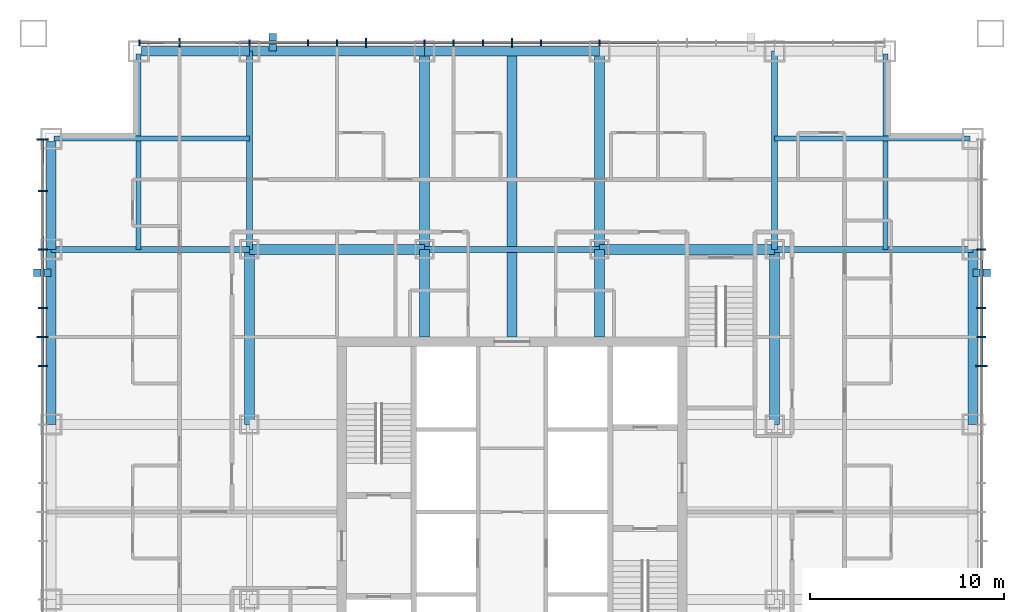
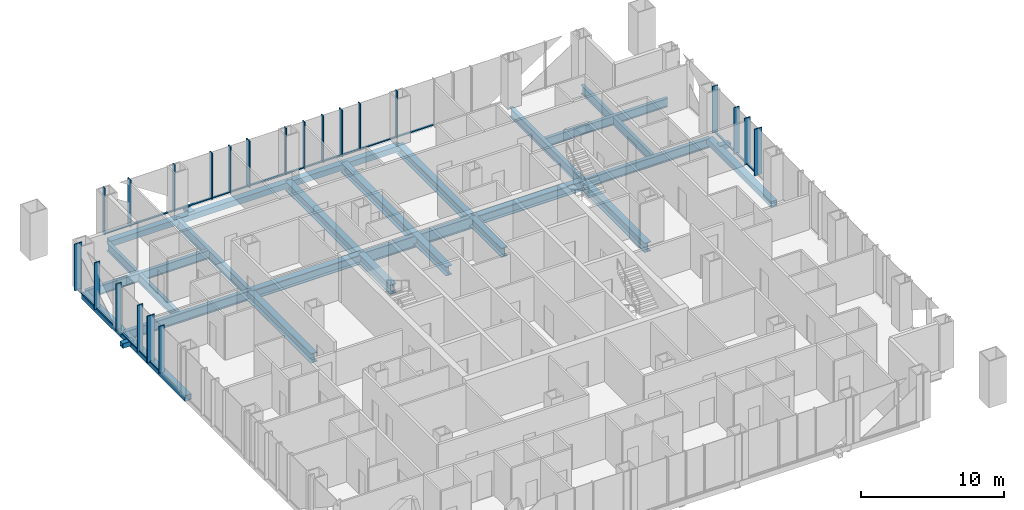
# One storey, part 5 of 14: 45 members, 24 beams, 3 elements without a shape of their own.
"""IFC4 building model written with IfcOpenShell, lengths in metres."""

from ifc_helpers import new_model, si_unit, direction, frame, origin, origin_2d, place, context, subcontext, project, spatial, rectangle, hollow_rectangle, i_section, extrude, material, layer, layer_set, material_profile, profile_set, type_object, element, aggregate, save


model = new_model("IFC4")

# Units and contexts
model_context = context("Model", 3, precision=1e-05, world=origin(), true_north=direction((0.0, 1.0)))
body_context = subcontext(model_context, "Body", "Model", "MODEL_VIEW")
ifc_project = project(units=[si_unit("LENGTHUNIT", "METRE"), si_unit("AREAUNIT", "SQUARE_METRE"), si_unit("VOLUMEUNIT", "CUBIC_METRE"), si_unit("PLANEANGLEUNIT", "RADIAN"), si_unit("MASSUNIT", "GRAM", prefix="KILO")], contexts=[model_context])

# Site, building, storey
site_placement = place(None, origin())
site = spatial("IfcSite", under=ifc_project, at=site_placement, CompositionType="ELEMENT")
building_placement = place(site_placement, origin())
building = spatial("IfcBuilding", under=site, at=building_placement, Name="Malebo Sky Hospital", CompositionType="ELEMENT")
storey_placement = place(building_placement, frame((0.0, 0.0, 164.0)))
storey = spatial("IfcBuildingStorey", under=building, at=storey_placement, Name="L39", CompositionType="ELEMENT", Elevation=164.0)

# Curtain wall, members
ifc_material_1 = material(Name="Anodised aluminium, natural silver", Category="aluminium")
ifc_layer_1 = layer(ifc_material_1, 0.25)
ifc_layer_set_1 = layer_set([ifc_layer_1], Name="WARD CURTAIN WALL NORTH AND SOUTH")
curtain_wall_type_1 = type_object("IfcCurtainWallType", Name="WARD CURTAIN WALL NORTH AND SOUTH", PredefinedType="NOTDEFINED", material=ifc_layer_set_1)
curtain_wall_1_placement = place(storey_placement, origin())
curtain_wall_1 = element("IfcCurtainWall", 1, at=curtain_wall_1_placement, inside=storey, type_object=curtain_wall_type_1, Name="NS curtain wall N", PredefinedType="NOTDEFINED")
ifc_material_profile_1 = material_profile(ifc_material_1, rectangle(XDim=0.14990234375, YDim=0.10009765625, at=origin_2d()), Name="ALUMINIUM TRANSOM 150x100")
ifc_profile_set_1 = profile_set([ifc_material_profile_1], Name="Anodised aluminium, natural silver")
member_type_1 = type_object("IfcMemberType", Name="ALUMINIUM TRANSOM 150x100", PredefinedType="USERDEFINED", material=ifc_profile_set_1)
member_1_placement = place(storey_placement, frame((40.875, 86.135009765625, 0.050048828125), z_axis=(1.0, 0.0, 0.0), x_axis=(0.0, 1.0, 0.0)))
member_1 = element("IfcMember", 2, at=member_1_placement, type_object=member_type_1, Name="Transom 1", ObjectType="TRANSOM", PredefinedType="USERDEFINED", context=body_context, shape_type="SweptSolid", body=[
    extrude(rectangle(XDim=0.14990234375, YDim=0.10009765625, at=origin_2d()), origin(), (0.0, 0.0, 1.0), 1.987548828125),
])
member_2_placement = place(storey_placement, frame((42.9375, 86.135009765625, 0.050048828125), z_axis=(1.0, 0.0, 0.0), x_axis=(0.0, 1.0, 0.0)))
member_2 = element("IfcMember", 3, at=member_2_placement, type_object=member_type_1, Name="Transom 2", ObjectType="TRANSOM", PredefinedType="USERDEFINED", context=body_context, shape_type="SweptSolid", body=[
    extrude(rectangle(XDim=0.14990234375, YDim=0.10009765625, at=origin_2d()), origin(), (0.0, 0.0, 1.0), 3.52490234375),
])
member_3_placement = place(storey_placement, frame((46.53759765625, 86.135009765625, 0.050048828125), z_axis=(1.0, 0.0, 0.0), x_axis=(0.0, 1.0, 0.0)))
member_3 = element("IfcMember", 4, at=member_3_placement, type_object=member_type_1, Name="Transom 3", ObjectType="TRANSOM", PredefinedType="USERDEFINED", context=body_context, shape_type="SweptSolid", body=[
    extrude(rectangle(XDim=0.14990234375, YDim=0.10009765625, at=origin_2d()), origin(), (0.0, 0.0, 1.0), 2.9248046875),
])
member_4_placement = place(storey_placement, frame((49.53759765625, 86.135009765625, 0.050048828125), z_axis=(1.0, 0.0, 0.0), x_axis=(0.0, 1.0, 0.0)))
member_4 = element("IfcMember", 5, at=member_4_placement, type_object=member_type_1, Name="Transom 4", ObjectType="TRANSOM", PredefinedType="USERDEFINED", context=body_context, shape_type="SweptSolid", body=[
    extrude(rectangle(XDim=0.14990234375, YDim=0.10009765625, at=origin_2d()), origin(), (0.0, 0.0, 1.0), 1.4248046875),
])
member_5_placement = place(storey_placement, frame((51.03759765625, 86.135009765625, 0.050048828125), z_axis=(1.0, 0.0, 0.0), x_axis=(0.0, 1.0, 0.0)))
member_5 = element("IfcMember", 6, at=member_5_placement, type_object=member_type_1, Name="Transom 5", ObjectType="TRANSOM", PredefinedType="USERDEFINED", context=body_context, shape_type="SweptSolid", body=[
    extrude(rectangle(XDim=0.14990234375, YDim=0.10009765625, at=origin_2d()), origin(), (0.0, 0.0, 1.0), 1.4248046875),
])
member_6_placement = place(storey_placement, frame((52.53759765625, 86.135009765625, 0.050048828125), z_axis=(1.0, 0.0, 0.0), x_axis=(0.0, 1.0, 0.0)))
member_6 = element("IfcMember", 7, at=member_6_placement, type_object=member_type_1, Name="Transom 6", ObjectType="TRANSOM", PredefinedType="USERDEFINED", context=body_context, shape_type="SweptSolid", body=[
    extrude(rectangle(XDim=0.14990234375, YDim=0.10009765625, at=origin_2d()), origin(), (0.0, 0.0, 1.0), 2.9248046875),
])
member_7_placement = place(storey_placement, frame((55.53759765625, 86.135009765625, 0.050048828125), z_axis=(1.0, 0.0, 0.0), x_axis=(0.0, 1.0, 0.0)))
member_7 = element("IfcMember", 8, at=member_7_placement, type_object=member_type_1, Name="Transom 7", ObjectType="TRANSOM", PredefinedType="USERDEFINED", context=body_context, shape_type="SweptSolid", body=[
    extrude(rectangle(XDim=0.14990234375, YDim=0.10009765625, at=origin_2d()), origin(), (0.0, 0.0, 1.0), 1.4248046875),
])
member_8_placement = place(storey_placement, frame((57.03759765625, 86.135009765625, 0.050048828125), z_axis=(1.0, 0.0, 0.0), x_axis=(0.0, 1.0, 0.0)))
member_8 = element("IfcMember", 9, at=member_8_placement, type_object=member_type_1, Name="Transom 8", ObjectType="TRANSOM", PredefinedType="USERDEFINED", context=body_context, shape_type="SweptSolid", body=[
    extrude(rectangle(XDim=0.14990234375, YDim=0.10009765625, at=origin_2d()), origin(), (0.0, 0.0, 1.0), 1.4248046875),
])
member_9_placement = place(storey_placement, frame((58.53759765625, 86.135009765625, 0.050048828125), z_axis=(1.0, 0.0, 0.0), x_axis=(0.0, 1.0, 0.0)))
member_9 = element("IfcMember", 10, at=member_9_placement, type_object=member_type_1, Name="Transom 9", ObjectType="TRANSOM", PredefinedType="USERDEFINED", context=body_context, shape_type="SweptSolid", body=[
    extrude(rectangle(XDim=0.14990234375, YDim=0.10009765625, at=origin_2d()), origin(), (0.0, 0.0, 1.0), 1.4248046875),
])
member_10_placement = place(storey_placement, frame((60.03759765625, 86.135009765625, 0.050048828125), z_axis=(1.0, 0.0, 0.0), x_axis=(0.0, 1.0, 0.0)))
member_10 = element("IfcMember", 11, at=member_10_placement, type_object=member_type_1, Name="Transom 10", ObjectType="TRANSOM", PredefinedType="USERDEFINED", context=body_context, shape_type="SweptSolid", body=[
    extrude(rectangle(XDim=0.14990234375, YDim=0.10009765625, at=origin_2d()), origin(), (0.0, 0.0, 1.0), 1.4248046875),
])
member_11_placement = place(storey_placement, frame((61.53759765625, 86.135009765625, 0.050048828125), z_axis=(1.0, 0.0, 0.0), x_axis=(0.0, 1.0, 0.0)))
member_11 = element("IfcMember", 12, at=member_11_placement, type_object=member_type_1, Name="Transom 11", ObjectType="TRANSOM", PredefinedType="USERDEFINED", context=body_context, shape_type="SweptSolid", body=[
    extrude(rectangle(XDim=0.14990234375, YDim=0.10009765625, at=origin_2d()), origin(), (0.0, 0.0, 1.0), 2.9248046875),
])
member_12_placement = place(storey_placement, frame((64.53759765625, 86.135009765625, 0.050048828125), z_axis=(1.0, 0.0, 0.0), x_axis=(0.0, 1.0, 0.0)))
member_12 = element("IfcMember", 13, at=member_12_placement, type_object=member_type_1, Name="Transom 12", ObjectType="TRANSOM", PredefinedType="USERDEFINED", context=body_context, shape_type="SweptSolid", body=[
    extrude(rectangle(XDim=0.14990234375, YDim=0.10009765625, at=origin_2d()), origin(), (0.0, 0.0, 1.0), 2.9248046875),
])

ifc_layer_2 = layer(ifc_material_1, 0.25)
ifc_layer_set_2 = layer_set([ifc_layer_2], Name="WARD CURTAIN WALL EAST AND WEST")
curtain_wall_type_2 = type_object("IfcCurtainWallType", Name="WARD CURTAIN WALL EAST AND WEST", PredefinedType="NOTDEFINED", material=ifc_layer_set_2)
curtain_wall_2_placement = place(storey_placement, origin())
curtain_wall_2 = element("IfcCurtainWall", 14, at=curtain_wall_2_placement, inside=storey, type_object=curtain_wall_type_2, Name="EW curtain wall W", PredefinedType="NOTDEFINED")
member_13_placement = place(storey_placement, frame((35.864990234375, 69.53759765625, 0.050048828125), z_axis=(0.0, 1.0, 0.0), x_axis=(-1.0, 0.0, 0.0)))
member_13 = element("IfcMember", 15, at=member_13_placement, type_object=member_type_1, Name="Transom 13", ObjectType="TRANSOM", PredefinedType="USERDEFINED", context=body_context, shape_type="SweptSolid", body=[
    extrude(rectangle(XDim=0.14990234375, YDim=0.10009765625, at=origin_2d()), origin(), (0.0, 0.0, 1.0), 1.4248046875),
])
member_14_placement = place(storey_placement, frame((35.864990234375, 71.03759765625, 0.050048828125), z_axis=(0.0, 1.0, 0.0), x_axis=(-1.0, 0.0, 0.0)))
member_14 = element("IfcMember", 16, at=member_14_placement, type_object=member_type_1, Name="Transom 14", ObjectType="TRANSOM", PredefinedType="USERDEFINED", context=body_context, shape_type="SweptSolid", body=[
    extrude(rectangle(XDim=0.14990234375, YDim=0.10009765625, at=origin_2d()), origin(), (0.0, 0.0, 1.0), 1.4248046875),
])
member_15_placement = place(storey_placement, frame((35.864990234375, 72.53759765625, 0.050048828125), z_axis=(0.0, 1.0, 0.0), x_axis=(-1.0, 0.0, 0.0)))
member_15 = element("IfcMember", 17, at=member_15_placement, type_object=member_type_1, Name="Transom 15", ObjectType="TRANSOM", PredefinedType="USERDEFINED", context=body_context, shape_type="SweptSolid", body=[
    extrude(rectangle(XDim=0.14990234375, YDim=0.10009765625, at=origin_2d()), origin(), (0.0, 0.0, 1.0), 2.9248046875),
])
member_16_placement = place(storey_placement, frame((35.864990234375, 75.53759765625, 0.050048828125), z_axis=(0.0, 1.0, 0.0), x_axis=(-1.0, 0.0, 0.0)))
member_16 = element("IfcMember", 18, at=member_16_placement, type_object=member_type_1, Name="Transom 16", ObjectType="TRANSOM", PredefinedType="USERDEFINED", context=body_context, shape_type="SweptSolid", body=[
    extrude(rectangle(XDim=0.14990234375, YDim=0.10009765625, at=origin_2d()), origin(), (0.0, 0.0, 1.0), 2.9248046875),
])
member_17_placement = place(storey_placement, frame((35.864990234375, 78.53759765625, 0.050048828125), z_axis=(0.0, 1.0, 0.0), x_axis=(-1.0, 0.0, 0.0)))
member_17 = element("IfcMember", 19, at=member_17_placement, type_object=member_type_1, Name="Transom 17", ObjectType="TRANSOM", PredefinedType="USERDEFINED", context=body_context, shape_type="SweptSolid", body=[
    extrude(rectangle(XDim=0.14990234375, YDim=0.10009765625, at=origin_2d()), origin(), (0.0, 0.0, 1.0), 2.58740234375),
])

curtain_wall_3_placement = place(storey_placement, origin())
curtain_wall_3 = element("IfcCurtainWall", 20, at=curtain_wall_3_placement, inside=storey, type_object=curtain_wall_type_2, Name="EW curtain wall E", PredefinedType="NOTDEFINED")
member_18_placement = place(storey_placement, frame((84.135009765625, 75.46240234375, 0.050048828125), z_axis=(0.0, -1.0, 0.0), x_axis=(1.0, 0.0, 0.0)))
member_18 = element("IfcMember", 21, at=member_18_placement, type_object=member_type_1, Name="Transom 3", ObjectType="TRANSOM", PredefinedType="USERDEFINED", context=body_context, shape_type="SweptSolid", body=[
    extrude(rectangle(XDim=0.14990234375, YDim=0.10009765625, at=origin_2d()), origin(), (0.0, 0.0, 1.0), 2.9248046875),
])
member_19_placement = place(storey_placement, frame((84.135009765625, 72.46240234375, 0.050048828125), z_axis=(0.0, -1.0, 0.0), x_axis=(1.0, 0.0, 0.0)))
member_19 = element("IfcMember", 22, at=member_19_placement, type_object=member_type_1, Name="Transom 4", ObjectType="TRANSOM", PredefinedType="USERDEFINED", context=body_context, shape_type="SweptSolid", body=[
    extrude(rectangle(XDim=0.14990234375, YDim=0.10009765625, at=origin_2d()), origin(), (0.0, 0.0, 1.0), 1.4248046875),
])
member_20_placement = place(storey_placement, frame((84.135009765625, 70.96240234375, 0.050048828125), z_axis=(0.0, -1.0, 0.0), x_axis=(1.0, 0.0, 0.0)))
member_20 = element("IfcMember", 23, at=member_20_placement, type_object=member_type_1, Name="Transom 5", ObjectType="TRANSOM", PredefinedType="USERDEFINED", context=body_context, shape_type="SweptSolid", body=[
    extrude(rectangle(XDim=0.14990234375, YDim=0.10009765625, at=origin_2d()), origin(), (0.0, 0.0, 1.0), 1.4248046875),
])

# Members
ifc_material_2 = material(Name="Steel S355", Category="steel")
ifc_material_profile_2 = material_profile(ifc_material_2, hollow_rectangle(XDim=0.39990234375, YDim=0.39990234375, WallThickness=0.02001953125, at=origin_2d()), Name="SHS 400x20")
ifc_profile_set_2 = profile_set([ifc_material_profile_2], Name="Steel S355")
member_type_2 = type_object("IfcMemberType", Name="BRACE STRUT SHS 400x20", PredefinedType="STRUT", material=ifc_profile_set_2)
for number, where, z_axis, x_axis, name in (
    (24, (47.699951171875, 86.60009765625, -0.39990234375), (0.0, -1.0, 0.0), (1.0, 0.0, 0.0), "Brace strut BN1 L39"),
    (25, (84.60009765625, 74.300048828125, -0.39990234375), (-1.0, 0.0, 0.0), (0.0, -1.0, 0.0), "Brace strut BE1 L39"),
    (26, (35.39990234375, 74.300048828125, -0.39990234375), (1.0, 0.0, 0.0), (0.0, 1.0, 0.0), "Brace strut BW2 L39"),
):
    element("IfcMember", number, at=place(storey_placement, frame(where, z_axis=z_axis, x_axis=x_axis)), inside=storey, type_object=member_type_2, Name=name, PredefinedType="STRUT", context=body_context, shape_type="SweptSolid", body=[
        extrude(hollow_rectangle(XDim=0.39990234375, YDim=0.39990234375, WallThickness=0.02001953125, at=origin_2d()), origin(), (0.0, 0.0, 1.0), 0.900146484375),
    ])

# Member
ifc_material_profile_3 = material_profile(ifc_material_1, rectangle(XDim=0.074951171875, YDim=0.300048828125, at=origin_2d()), Name="CW1 ALUMINIUM FIN MULLION 75x300")
ifc_profile_set_3 = profile_set([ifc_material_profile_3], Name="Anodised aluminium, natural silver")
member_type_3 = type_object("IfcMemberType", Name="CW1 ALUMINIUM FIN MULLION 75x300", PredefinedType="MULLION", material=ifc_profile_set_3)
member_21_placement = place(storey_placement, frame((40.83740234375, 86.135009765625, 0.0), z_axis=(0.0, 0.0, 1.0), x_axis=(1.0, 0.0, 0.0)))
member_21 = element("IfcMember", 27, at=member_21_placement, type_object=member_type_3, Name="Fin mullion 1", PredefinedType="MULLION", context=body_context, shape_type="SweptSolid", body=[
    extrude(rectangle(XDim=0.074951171875, YDim=0.300048828125, at=origin_2d()), origin(), (0.0, 0.0, 1.0), 4.0),
])

member_22_placement = place(storey_placement, frame((46.5, 86.135009765625, 0.0), z_axis=(0.0, 0.0, 1.0), x_axis=(1.0, 0.0, 0.0)))
member_22 = element("IfcMember", 28, at=member_22_placement, type_object=member_type_3, Name="Fin mullion 3", PredefinedType="MULLION", context=body_context, shape_type="SweptSolid", body=[
    extrude(rectangle(XDim=0.074951171875, YDim=0.300048828125, at=origin_2d()), origin(), (0.0, 0.0, 1.0), 4.0),
])

member_23_placement = place(storey_placement, frame((49.5, 86.135009765625, 0.0), z_axis=(0.0, 0.0, 1.0), x_axis=(1.0, 0.0, 0.0)))
member_23 = element("IfcMember", 29, at=member_23_placement, type_object=member_type_3, Name="Fin mullion 4", PredefinedType="MULLION", context=body_context, shape_type="SweptSolid", body=[
    extrude(rectangle(XDim=0.074951171875, YDim=0.300048828125, at=origin_2d()), origin(), (0.0, 0.0, 1.0), 4.0),
])

member_24_placement = place(storey_placement, frame((51.0, 86.135009765625, 0.0), z_axis=(0.0, 0.0, 1.0), x_axis=(1.0, 0.0, 0.0)))
member_24 = element("IfcMember", 30, at=member_24_placement, type_object=member_type_3, Name="Fin mullion 5", PredefinedType="MULLION", context=body_context, shape_type="SweptSolid", body=[
    extrude(rectangle(XDim=0.074951171875, YDim=0.300048828125, at=origin_2d()), origin(), (0.0, 0.0, 1.0), 4.0),
])

member_25_placement = place(storey_placement, frame((55.5, 86.135009765625, 0.0), z_axis=(0.0, 0.0, 1.0), x_axis=(1.0, 0.0, 0.0)))
member_25 = element("IfcMember", 31, at=member_25_placement, type_object=member_type_3, Name="Fin mullion 7", PredefinedType="MULLION", context=body_context, shape_type="SweptSolid", body=[
    extrude(rectangle(XDim=0.074951171875, YDim=0.300048828125, at=origin_2d()), origin(), (0.0, 0.0, 1.0), 4.0),
])

member_26_placement = place(storey_placement, frame((57.0, 86.135009765625, 0.0), z_axis=(0.0, 0.0, 1.0), x_axis=(1.0, 0.0, 0.0)))
member_26 = element("IfcMember", 32, at=member_26_placement, type_object=member_type_3, Name="Fin mullion 8", PredefinedType="MULLION", context=body_context, shape_type="SweptSolid", body=[
    extrude(rectangle(XDim=0.074951171875, YDim=0.300048828125, at=origin_2d()), origin(), (0.0, 0.0, 1.0), 4.0),
])

member_27_placement = place(storey_placement, frame((58.5, 86.135009765625, 0.0), z_axis=(0.0, 0.0, 1.0), x_axis=(1.0, 0.0, 0.0)))
member_27 = element("IfcMember", 33, at=member_27_placement, type_object=member_type_3, Name="Fin mullion 9", PredefinedType="MULLION", context=body_context, shape_type="SweptSolid", body=[
    extrude(rectangle(XDim=0.074951171875, YDim=0.300048828125, at=origin_2d()), origin(), (0.0, 0.0, 1.0), 4.0),
])

member_28_placement = place(storey_placement, frame((61.5, 86.135009765625, 0.0), z_axis=(0.0, 0.0, 1.0), x_axis=(1.0, 0.0, 0.0)))
member_28 = element("IfcMember", 34, at=member_28_placement, type_object=member_type_3, Name="Fin mullion 11", PredefinedType="MULLION", context=body_context, shape_type="SweptSolid", body=[
    extrude(rectangle(XDim=0.074951171875, YDim=0.300048828125, at=origin_2d()), origin(), (0.0, 0.0, 1.0), 4.0),
])

member_29_placement = place(storey_placement, frame((64.5, 86.135009765625, 0.0), z_axis=(0.0, 0.0, 1.0), x_axis=(1.0, 0.0, 0.0)))
member_29 = element("IfcMember", 35, at=member_29_placement, type_object=member_type_3, Name="Fin mullion 12", PredefinedType="MULLION", context=body_context, shape_type="SweptSolid", body=[
    extrude(rectangle(XDim=0.074951171875, YDim=0.300048828125, at=origin_2d()), origin(), (0.0, 0.0, 1.0), 4.0),
])

ifc_material_profile_4 = material_profile(ifc_material_1, rectangle(XDim=0.074951171875, YDim=0.449951171875, at=origin_2d()), Name="CW1 ALUMINIUM FIN MULLION 75x450")
ifc_profile_set_4 = profile_set([ifc_material_profile_4], Name="Anodised aluminium, natural silver")
member_type_4 = type_object("IfcMemberType", Name="CW1 ALUMINIUM FIN MULLION 75x450", PredefinedType="MULLION", material=ifc_profile_set_4)
member_30_placement = place(storey_placement, frame((42.89990234375, 86.135009765625, 0.0), z_axis=(0.0, 0.0, 1.0), x_axis=(1.0, 0.0, 0.0)))
member_30 = element("IfcMember", 36, at=member_30_placement, type_object=member_type_4, Name="Fin mullion 2", PredefinedType="MULLION", context=body_context, shape_type="SweptSolid", body=[
    extrude(rectangle(XDim=0.074951171875, YDim=0.449951171875, at=origin_2d()), origin(), (0.0, 0.0, 1.0), 4.0),
])

member_31_placement = place(storey_placement, frame((52.5, 86.135009765625, 0.0), z_axis=(0.0, 0.0, 1.0), x_axis=(1.0, 0.0, 0.0)))
member_31 = element("IfcMember", 37, at=member_31_placement, type_object=member_type_4, Name="Fin mullion 6", PredefinedType="MULLION", context=body_context, shape_type="SweptSolid", body=[
    extrude(rectangle(XDim=0.074951171875, YDim=0.449951171875, at=origin_2d()), origin(), (0.0, 0.0, 1.0), 4.0),
])

member_32_placement = place(storey_placement, frame((60.0, 86.135009765625, 0.0), z_axis=(0.0, 0.0, 1.0), x_axis=(1.0, 0.0, 0.0)))
member_32 = element("IfcMember", 38, at=member_32_placement, type_object=member_type_4, Name="Fin mullion 10", PredefinedType="MULLION", context=body_context, shape_type="SweptSolid", body=[
    extrude(rectangle(XDim=0.074951171875, YDim=0.449951171875, at=origin_2d()), origin(), (0.0, 0.0, 1.0), 4.0),
])

aggregate(curtain_wall_1, [member_21, member_30, member_22, member_23, member_24, member_31, member_25, member_26, member_27, member_32, member_28, member_29, member_1, member_2, member_3, member_4, member_5, member_6, member_7, member_8, member_9, member_10, member_11, member_12])

ifc_material_profile_5 = material_profile(ifc_material_1, rectangle(XDim=0.074951171875, YDim=0.449951171875, at=origin_2d()), Name="CW2 ALUMINIUM FIN MULLION 75x450")
ifc_profile_set_5 = profile_set([ifc_material_profile_5], Name="Anodised aluminium, natural silver")
member_type_5 = type_object("IfcMemberType", Name="CW2 ALUMINIUM FIN MULLION 75x450", PredefinedType="MULLION", material=ifc_profile_set_5)
member_33_placement = place(storey_placement, frame((35.864990234375, 69.5, 0.0), z_axis=(0.0, 0.0, 1.0), x_axis=(0.0, 1.0, 0.0)))
member_33 = element("IfcMember", 39, at=member_33_placement, type_object=member_type_5, Name="Fin mullion 13", PredefinedType="MULLION", context=body_context, shape_type="SweptSolid", body=[
    extrude(rectangle(XDim=0.074951171875, YDim=0.449951171875, at=origin_2d()), origin(), (0.0, 0.0, 1.0), 4.0),
])

member_34_placement = place(storey_placement, frame((35.864990234375, 72.5, 0.0), z_axis=(0.0, 0.0, 1.0), x_axis=(0.0, 1.0, 0.0)))
member_34 = element("IfcMember", 40, at=member_34_placement, type_object=member_type_5, Name="Fin mullion 15", PredefinedType="MULLION", context=body_context, shape_type="SweptSolid", body=[
    extrude(rectangle(XDim=0.074951171875, YDim=0.449951171875, at=origin_2d()), origin(), (0.0, 0.0, 1.0), 4.0),
])

member_35_placement = place(storey_placement, frame((35.864990234375, 75.5, 0.0), z_axis=(0.0, 0.0, 1.0), x_axis=(0.0, 1.0, 0.0)))
member_35 = element("IfcMember", 41, at=member_35_placement, type_object=member_type_5, Name="Fin mullion 16", PredefinedType="MULLION", context=body_context, shape_type="SweptSolid", body=[
    extrude(rectangle(XDim=0.074951171875, YDim=0.449951171875, at=origin_2d()), origin(), (0.0, 0.0, 1.0), 4.0),
])

member_36_placement = place(storey_placement, frame((35.864990234375, 78.5, 0.0), z_axis=(0.0, 0.0, 1.0), x_axis=(0.0, 1.0, 0.0)))
member_36 = element("IfcMember", 42, at=member_36_placement, type_object=member_type_5, Name="Fin mullion 17", PredefinedType="MULLION", context=body_context, shape_type="SweptSolid", body=[
    extrude(rectangle(XDim=0.074951171875, YDim=0.449951171875, at=origin_2d()), origin(), (0.0, 0.0, 1.0), 4.0),
])

member_37_placement = place(storey_placement, frame((84.135009765625, 75.5, 0.0), z_axis=(0.0, 0.0, 1.0), x_axis=(0.0, -1.0, 0.0)))
member_37 = element("IfcMember", 43, at=member_37_placement, type_object=member_type_5, Name="Fin mullion 3", PredefinedType="MULLION", context=body_context, shape_type="SweptSolid", body=[
    extrude(rectangle(XDim=0.074951171875, YDim=0.449951171875, at=origin_2d()), origin(), (0.0, 0.0, 1.0), 4.0),
])

member_38_placement = place(storey_placement, frame((84.135009765625, 72.5, 0.0), z_axis=(0.0, 0.0, 1.0), x_axis=(0.0, -1.0, 0.0)))
member_38 = element("IfcMember", 44, at=member_38_placement, type_object=member_type_5, Name="Fin mullion 4", PredefinedType="MULLION", context=body_context, shape_type="SweptSolid", body=[
    extrude(rectangle(XDim=0.074951171875, YDim=0.449951171875, at=origin_2d()), origin(), (0.0, 0.0, 1.0), 4.0),
])

member_39_placement = place(storey_placement, frame((84.135009765625, 71.0, 0.0), z_axis=(0.0, 0.0, 1.0), x_axis=(0.0, -1.0, 0.0)))
member_39 = element("IfcMember", 45, at=member_39_placement, type_object=member_type_5, Name="Fin mullion 5", PredefinedType="MULLION", context=body_context, shape_type="SweptSolid", body=[
    extrude(rectangle(XDim=0.074951171875, YDim=0.449951171875, at=origin_2d()), origin(), (0.0, 0.0, 1.0), 4.0),
])

ifc_material_profile_6 = material_profile(ifc_material_1, rectangle(XDim=0.074951171875, YDim=0.60009765625, at=origin_2d()), Name="CW2 ALUMINIUM FIN MULLION 75x600")
ifc_profile_set_6 = profile_set([ifc_material_profile_6], Name="Anodised aluminium, natural silver")
member_type_6 = type_object("IfcMemberType", Name="CW2 ALUMINIUM FIN MULLION 75x600", PredefinedType="MULLION", material=ifc_profile_set_6)
member_40_placement = place(storey_placement, frame((35.864990234375, 71.0, 0.0), z_axis=(0.0, 0.0, 1.0), x_axis=(0.0, 1.0, 0.0)))
member_40 = element("IfcMember", 46, at=member_40_placement, type_object=member_type_6, Name="Fin mullion 14", PredefinedType="MULLION", context=body_context, shape_type="SweptSolid", body=[
    extrude(rectangle(XDim=0.074951171875, YDim=0.60009765625, at=origin_2d()), origin(), (0.0, 0.0, 1.0), 4.0),
])

member_41_placement = place(storey_placement, frame((35.864990234375, 81.16259765625, 0.0), z_axis=(0.0, 0.0, 1.0), x_axis=(0.0, 1.0, 0.0)))
member_41 = element("IfcMember", 47, at=member_41_placement, type_object=member_type_6, Name="Fin mullion 18", PredefinedType="MULLION", context=body_context, shape_type="SweptSolid", body=[
    extrude(rectangle(XDim=0.074951171875, YDim=0.60009765625, at=origin_2d()), origin(), (0.0, 0.0, 1.0), 4.0),
])

aggregate(curtain_wall_2, [member_33, member_40, member_34, member_35, member_36, member_41, member_13, member_14, member_15, member_16, member_17])

member_42_placement = place(storey_placement, frame((84.135009765625, 69.5, 0.0), z_axis=(0.0, 0.0, 1.0), x_axis=(0.0, -1.0, 0.0)))
member_42 = element("IfcMember", 48, at=member_42_placement, type_object=member_type_6, Name="Fin mullion 6", PredefinedType="MULLION", context=body_context, shape_type="SweptSolid", body=[
    extrude(rectangle(XDim=0.074951171875, YDim=0.60009765625, at=origin_2d()), origin(), (0.0, 0.0, 1.0), 4.0),
])

aggregate(curtain_wall_3, [member_37, member_38, member_39, member_42, member_18, member_19, member_20])

# Beams
ifc_material_3 = material(Name="Steel S460", Category="steel")
ifc_material_profile_7 = material_profile(ifc_material_3, hollow_rectangle(XDim=0.5, YDim=0.5, WallThickness=0.030029296875, at=origin_2d()), Name="BOX 500x500x30")
ifc_profile_set_7 = profile_set([ifc_material_profile_7], Name="Steel S460")
beam_type_1 = type_object("IfcBeamType", Name="EDGE BEAM BOX 500x500x30", PredefinedType="BEAM", material=ifc_profile_set_7)
beam_1_placement = place(storey_placement, frame((36.300048828125, 66.5, -0.5), z_axis=(0.0, 1.0, 0.0), x_axis=(-1.0, 0.0, 0.0)))
element("IfcBeam", 49, at=beam_1_placement, inside=storey, type_object=beam_type_1, Name="Beam 003 L39", PredefinedType="BEAM", context=body_context, shape_type="SweptSolid", body=[
    extrude(hollow_rectangle(XDim=0.5, YDim=0.5, WallThickness=0.030029296875, at=origin_2d()), origin(), (0.0, 0.0, 1.0), 9.0),
])
beam_2_placement = place(storey_placement, frame((36.300048828125, 75.5, -0.5), z_axis=(0.0, 1.0, 0.0), x_axis=(-1.0, 0.0, 0.0)))
element("IfcBeam", 50, at=beam_2_placement, inside=storey, type_object=beam_type_1, Name="Beam 004 L39", PredefinedType="BEAM", context=body_context, shape_type="SweptSolid", body=[
    extrude(hollow_rectangle(XDim=0.5, YDim=0.5, WallThickness=0.030029296875, at=origin_2d()), origin(), (0.0, 0.0, 1.0), 5.550048828125),
])
beam_3_placement = place(storey_placement, frame((83.699951171875, 66.5, -0.5), z_axis=(0.0, 1.0, 0.0), x_axis=(-1.0, 0.0, 0.0)))
element("IfcBeam", 51, at=beam_3_placement, inside=storey, type_object=beam_type_1, Name="Beam 032 L39", PredefinedType="BEAM", context=body_context, shape_type="SweptSolid", body=[
    extrude(hollow_rectangle(XDim=0.5, YDim=0.5, WallThickness=0.030029296875, at=origin_2d()), origin(), (0.0, 0.0, 1.0), 9.0),
])
beam_4_placement = place(storey_placement, frame((40.949951171875, 85.699951171875, -0.5), z_axis=(1.0, 0.0, 0.0), x_axis=(0.0, 1.0, 0.0)))
element("IfcBeam", 52, at=beam_4_placement, inside=storey, type_object=beam_type_1, Name="Beam 063 L39", PredefinedType="BEAM", context=body_context, shape_type="SweptSolid", body=[
    extrude(hollow_rectangle(XDim=0.5, YDim=0.5, WallThickness=0.030029296875, at=origin_2d()), origin(), (0.0, 0.0, 1.0), 5.550048828125),
])
for number, where, z_axis, x_axis, name in (
    (53, (46.5, 85.699951171875, -0.5), (1.0, 0.0, 0.0), (0.0, 1.0, 0.0), "Beam 064 L39"),
    (54, (55.5, 85.699951171875, -0.5), (1.0, 0.0, 0.0), (0.0, 1.0, 0.0), "Beam 065 L39"),
):
    element("IfcBeam", number, at=place(storey_placement, frame(where, z_axis=z_axis, x_axis=x_axis)), inside=storey, type_object=beam_type_1, Name=name, PredefinedType="BEAM", context=body_context, shape_type="SweptSolid", body=[
        extrude(hollow_rectangle(XDim=0.5, YDim=0.5, WallThickness=0.030029296875, at=origin_2d()), origin(), (0.0, 0.0, 1.0), 9.0),
    ])
ifc_material_profile_8 = material_profile(ifc_material_2, i_section(OverallWidth=0.262939453125, OverallDepth=0.7529296875, WebThickness=0.011474609375, FlangeThickness=0.01708984375, FilletRadius=0.01708984375, at=origin_2d()), Name="IPE 750x137")
ifc_profile_set_8 = profile_set([ifc_material_profile_8], Name="Steel S355")
beam_type_2 = type_object("IfcBeamType", Name="FLOOR BEAM IPE 750x137", PredefinedType="BEAM", material=ifc_profile_set_8)
for number, where, z_axis, x_axis, name in (
    (55, (40.800048828125, 75.5, -0.62646484375), (0.0, 1.0, 0.0), (-1.0, 0.0, 0.0), "Beam 006 L39"),
    (56, (79.199951171875, 75.5, -0.62646484375), (0.0, 1.0, 0.0), (-1.0, 0.0, 0.0), "Beam 028 L39"),
    (57, (36.449951171875, 81.199951171875, -0.62646484375), (1.0, 0.0, 0.0), (0.0, 1.0, 0.0), "Beam 061 L39"),
    (58, (73.5, 81.199951171875, -0.62646484375), (1.0, 0.0, 0.0), (0.0, 1.0, 0.0), "Beam 062 L39"),
):
    element("IfcBeam", number, at=place(storey_placement, frame(where, z_axis=z_axis, x_axis=x_axis)), inside=storey, type_object=beam_type_2, Name=name, PredefinedType="BEAM", context=body_context, shape_type="SweptSolid", body=[
        extrude(i_section(OverallWidth=0.262939453125, OverallDepth=0.7529296875, WebThickness=0.011474609375, FlangeThickness=0.01708984375, FilletRadius=0.01708984375, at=origin_2d()), origin(), (0.0, 0.0, 1.0), 10.050048828125),
    ])
ifc_material_profile_9 = material_profile(ifc_material_2, i_section(OverallWidth=0.5, OverallDepth=0.800048828125, WebThickness=0.030029296875, FlangeThickness=0.050048828125, at=origin_2d()), Name="PG 800x500x30x50")
ifc_profile_set_9 = profile_set([ifc_material_profile_9], Name="Steel S355")
beam_type_3 = type_object("IfcBeamType", Name="FLOOR BEAM PG 800x500x30x50", PredefinedType="BEAM", material=ifc_profile_set_9)
beam_5_placement = place(storey_placement, frame((46.5, 66.5, -0.64990234375), z_axis=(0.0, 1.0, 0.0), x_axis=(-1.0, 0.0, 0.0)))
element("IfcBeam", 59, at=beam_5_placement, inside=storey, type_object=beam_type_3, Name="Beam 010 L39", PredefinedType="BEAM", context=body_context, shape_type="SweptSolid", body=[
    extrude(i_section(OverallWidth=0.5, OverallDepth=0.800048828125, WebThickness=0.030029296875, FlangeThickness=0.050048828125, at=origin_2d()), origin(), (0.0, 0.0, 1.0), 9.0),
])
beam_6_placement = place(storey_placement, frame((55.5, 71.0, -0.64990234375), z_axis=(0.0, 1.0, 0.0), x_axis=(-1.0, 0.0, 0.0)))
element("IfcBeam", 60, at=beam_6_placement, inside=storey, type_object=beam_type_3, Name="Beam 014 L39", PredefinedType="BEAM", context=body_context, shape_type="SweptSolid", body=[
    extrude(i_section(OverallWidth=0.5, OverallDepth=0.800048828125, WebThickness=0.030029296875, FlangeThickness=0.050048828125, at=origin_2d()), origin(), (0.0, 0.0, 1.0), 4.5),
])
beam_7_placement = place(storey_placement, frame((55.5, 75.5, -0.64990234375), z_axis=(0.0, 1.0, 0.0), x_axis=(-1.0, 0.0, 0.0)))
element("IfcBeam", 61, at=beam_7_placement, inside=storey, type_object=beam_type_3, Name="Beam 015 L39", PredefinedType="BEAM", context=body_context, shape_type="SweptSolid", body=[
    extrude(i_section(OverallWidth=0.5, OverallDepth=0.800048828125, WebThickness=0.030029296875, FlangeThickness=0.050048828125, at=origin_2d()), origin(), (0.0, 0.0, 1.0), 10.199951171875),
])
beam_8_placement = place(storey_placement, frame((60.0, 71.0, -0.64990234375), z_axis=(0.0, 1.0, 0.0), x_axis=(-1.0, 0.0, 0.0)))
element("IfcBeam", 62, at=beam_8_placement, inside=storey, type_object=beam_type_3, Name="Beam 017 L39", PredefinedType="BEAM", context=body_context, shape_type="SweptSolid", body=[
    extrude(i_section(OverallWidth=0.5, OverallDepth=0.800048828125, WebThickness=0.030029296875, FlangeThickness=0.050048828125, at=origin_2d()), origin(), (0.0, 0.0, 1.0), 14.699951171875),
])
beam_9_placement = place(storey_placement, frame((64.5, 71.0, -0.64990234375), z_axis=(0.0, 1.0, 0.0), x_axis=(-1.0, 0.0, 0.0)))
element("IfcBeam", 63, at=beam_9_placement, inside=storey, type_object=beam_type_3, Name="Beam 020 L39", PredefinedType="BEAM", context=body_context, shape_type="SweptSolid", body=[
    extrude(i_section(OverallWidth=0.5, OverallDepth=0.800048828125, WebThickness=0.030029296875, FlangeThickness=0.050048828125, at=origin_2d()), origin(), (0.0, 0.0, 1.0), 4.5),
])
beam_10_placement = place(storey_placement, frame((64.5, 75.5, -0.64990234375), z_axis=(0.0, 1.0, 0.0), x_axis=(-1.0, 0.0, 0.0)))
element("IfcBeam", 64, at=beam_10_placement, inside=storey, type_object=beam_type_3, Name="Beam 021 L39", PredefinedType="BEAM", context=body_context, shape_type="SweptSolid", body=[
    extrude(i_section(OverallWidth=0.5, OverallDepth=0.800048828125, WebThickness=0.030029296875, FlangeThickness=0.050048828125, at=origin_2d()), origin(), (0.0, 0.0, 1.0), 10.199951171875),
])
for number, where, z_axis, x_axis, name in (
    (65, (73.5, 66.5, -0.64990234375), (0.0, 1.0, 0.0), (-1.0, 0.0, 0.0), "Beam 025 L39"),
    (66, (46.5, 75.5, -0.64990234375), (1.0, 0.0, 0.0), (0.0, 1.0, 0.0), "Beam 057 L39"),
    (67, (64.5, 75.5, -0.64990234375), (1.0, 0.0, 0.0), (0.0, 1.0, 0.0), "Beam 059 L39"),
):
    element("IfcBeam", number, at=place(storey_placement, frame(where, z_axis=z_axis, x_axis=x_axis)), inside=storey, type_object=beam_type_3, Name=name, PredefinedType="BEAM", context=body_context, shape_type="SweptSolid", body=[
        extrude(i_section(OverallWidth=0.5, OverallDepth=0.800048828125, WebThickness=0.030029296875, FlangeThickness=0.050048828125, at=origin_2d()), origin(), (0.0, 0.0, 1.0), 9.0),
    ])
ifc_material_profile_10 = material_profile(ifc_material_2, i_section(OverallWidth=0.300048828125, OverallDepth=0.800048828125, WebThickness=0.017578125, FlangeThickness=0.032958984375, FilletRadius=0.030029296875, at=origin_2d()), Name="HEB 800")
ifc_profile_set_10 = profile_set([ifc_material_profile_10], Name="Steel S355")
beam_type_4 = type_object("IfcBeamType", Name="FLOOR GIRDER HEB 800", PredefinedType="BEAM", material=ifc_profile_set_10)
for number, where, z_axis, x_axis, name in (
    (68, (46.5, 75.5, -0.64990234375), (0.0, 1.0, 0.0), (-1.0, 0.0, 0.0), "Beam 011 L39"),
    (69, (73.5, 75.5, -0.64990234375), (0.0, 1.0, 0.0), (-1.0, 0.0, 0.0), "Beam 026 L39"),
    (70, (36.300048828125, 75.5, -0.64990234375), (1.0, 0.0, 0.0), (0.0, 1.0, 0.0), "Beam 056 L39"),
    (71, (73.5, 75.5, -0.64990234375), (1.0, 0.0, 0.0), (0.0, 1.0, 0.0), "Beam 060 L39"),
):
    element("IfcBeam", number, at=place(storey_placement, frame(where, z_axis=z_axis, x_axis=x_axis)), inside=storey, type_object=beam_type_4, Name=name, PredefinedType="BEAM", context=body_context, shape_type="SweptSolid", body=[
        extrude(i_section(OverallWidth=0.300048828125, OverallDepth=0.800048828125, WebThickness=0.017578125, FlangeThickness=0.032958984375, FilletRadius=0.030029296875, at=origin_2d()), origin(), (0.0, 0.0, 1.0), 10.199951171875),
    ])
ifc_material_profile_11 = material_profile(ifc_material_2, i_section(OverallWidth=0.300048828125, OverallDepth=1.0, WebThickness=0.01904296875, FlangeThickness=0.035888671875, FilletRadius=0.030029296875, at=origin_2d()), Name="HEB 1000")
ifc_profile_set_11 = profile_set([ifc_material_profile_11], Name="Steel S355")
beam_type_5 = type_object("IfcBeamType", Name="RING GIRDER HEB 1000", PredefinedType="BEAM", material=ifc_profile_set_11)
beam_11_placement = place(storey_placement, frame((55.5, 75.5, -0.75), z_axis=(1.0, 0.0, 0.0), x_axis=(0.0, 1.0, 0.0)))
element("IfcBeam", 72, at=beam_11_placement, inside=storey, type_object=beam_type_5, Name="Beam 058 L39", PredefinedType="BEAM", context=body_context, shape_type="SweptSolid", body=[
    extrude(i_section(OverallWidth=0.300048828125, OverallDepth=1.0, WebThickness=0.01904296875, FlangeThickness=0.035888671875, FilletRadius=0.030029296875, at=origin_2d()), origin(), (0.0, 0.0, 1.0), 9.0),
])

save(model, "model.ifc")
